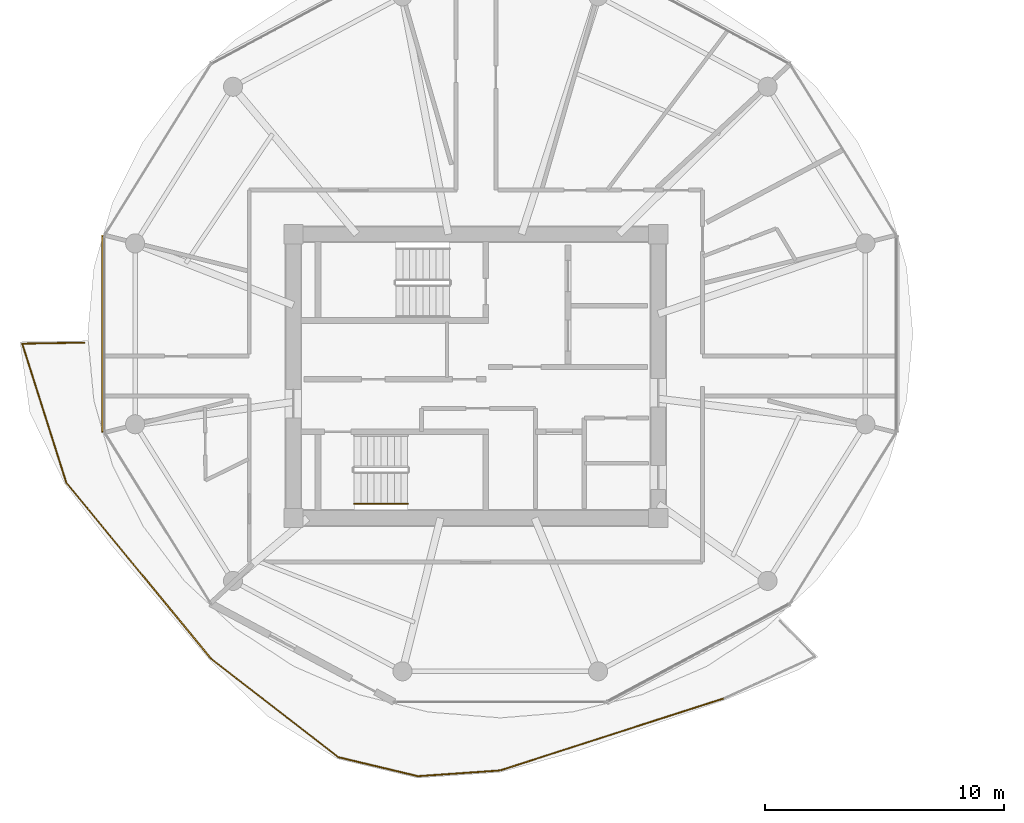
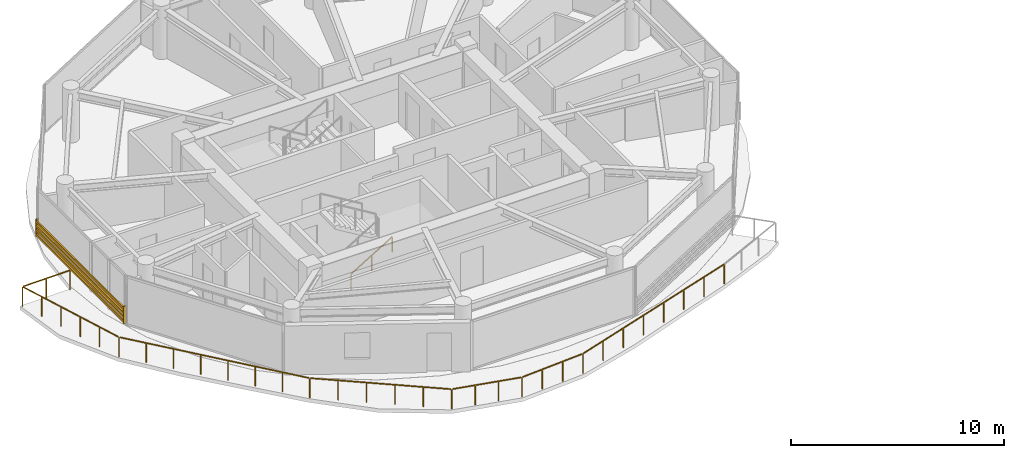
# One storey, part 19 of 22: 2 railings, 1 shading device.
"""IFC4 building model written with IfcOpenShell, lengths in metres."""

import ifcopenshell
import ifcopenshell.guid

model = None  # the IFC model being written
_history = None  # IfcOwnerHistory: only IFC2X3 demands one
_inside = {}  # id of a spatial element -> (the spatial element, [elements in it])
_under = {}  # id of a project, library or spatial element -> (it, [spatial elements below it])
_declared = {}  # id of a project -> (the project, [libraries it declares])
_typed = {}  # id of a type object -> (the type object, [elements of that type])
_made_of = {}  # id of a material, layer set ... -> (it, [elements and type objects made of it])


def new_model(schema):
    """Start an empty IFC model of exactly this schema.

    Asked for "IFC4X3", IfcOpenShell would pick the latest addendum, in which some entities
    have other attributes; the version numbers below select the first issue.
    IFC2X3 requires an IfcOwnerHistory on every rooted entity: one is made here for all.
    """
    global model, _history
    if schema == "IFC4X3":
        model = ifcopenshell.file(schema_version=(4, 3, 0, 0))
    else:
        model = ifcopenshell.file(schema=schema)
    _inside.clear()
    _under.clear()
    _declared.clear()
    _typed.clear()
    _made_of.clear()
    _history = None
    if model.schema == "IFC2X3":
        org = make("IfcOrganization", Name="unknown")
        user = make(
            "IfcPersonAndOrganization",
            ThePerson=make("IfcPerson", FamilyName="unknown"),
            TheOrganization=org,
        )
        app = make(
            "IfcApplication",
            ApplicationDeveloper=org,
            Version="unknown",
            ApplicationFullName="unknown",
            ApplicationIdentifier="unknown",
        )
        _history = make(
            "IfcOwnerHistory",
            OwningUser=user,
            OwningApplication=app,
            ChangeAction="ADDED",
            CreationDate=0,
        )
    return model


def make(cls, **values):
    """One entity of the class cls with the attributes given. An attribute that is None is left unset."""
    return model.create_entity(
        cls, **{name: value for name, value in values.items() if value is not None}
    )


def rooted(cls, **values):
    """An entity with a GlobalId (a new one), such as an element, a storey or a relation."""
    return make(cls, GlobalId=ifcopenshell.guid.new(), OwnerHistory=_history, **values)


def si_unit(unit_type, name, prefix=None):
    """IfcSIUnit, for example si_unit("LENGTHUNIT", "METRE", prefix="MILLI")."""
    return make("IfcSIUnit", UnitType=unit_type, Prefix=prefix, Name=name)


def assignment(units):
    """IfcUnitAssignment: the units of a project."""
    return None if units is None else make("IfcUnitAssignment", Units=units)


def point(xyz):
    """IfcCartesianPoint."""
    return None if xyz is None else make("IfcCartesianPoint", Coordinates=xyz)


def direction(xyz):
    """IfcDirection."""
    return None if xyz is None else make("IfcDirection", DirectionRatios=xyz)


def frame(location, z_axis=None, x_axis=None):
    """IfcAxis2Placement3D, a coordinate frame: its origin and axes. An axis left out is left unset."""
    return make(
        "IfcAxis2Placement3D",
        Location=point(location),
        Axis=direction(z_axis),
        RefDirection=direction(x_axis),
    )


def frame_2d(location, x_axis=None):
    """IfcAxis2Placement2D, a coordinate frame in the plane: its origin and x axis."""
    return make(
        "IfcAxis2Placement2D", Location=point(location), RefDirection=direction(x_axis)
    )


def origin():
    """The frame at (0, 0, 0) with its axes left unset."""
    return frame((0.0, 0.0, 0.0))


def origin_2d():
    """The frame at (0, 0) in the plane with its x axis left unset."""
    return frame_2d((0.0, 0.0))


def place(relative_to, where):
    """IfcLocalPlacement: puts the frame where relative to a parent placement (None: the world)."""
    return make(
        "IfcLocalPlacement", PlacementRelTo=relative_to, RelativePlacement=where
    )


def context(
    kind, dimensions, precision=None, world=None, true_north=None, identifier=None
):
    """IfcGeometricRepresentationContext, for example the 3D "Model" context."""
    return make(
        "IfcGeometricRepresentationContext",
        ContextIdentifier=identifier,
        ContextType=kind,
        CoordinateSpaceDimension=dimensions,
        Precision=precision,
        WorldCoordinateSystem=world,
        TrueNorth=true_north,
    )


def subcontext(parent, identifier, kind, view, scale=None):
    """IfcGeometricRepresentationSubContext, for example "Body" below "Model"."""
    return make(
        "IfcGeometricRepresentationSubContext",
        ContextIdentifier=identifier,
        ContextType=kind,
        ParentContext=parent,
        TargetScale=scale,
        TargetView=view,
    )


def project(units=None, contexts=None):
    """IfcProject with its units and contexts."""
    return rooted(
        "IfcProject",
        Name="project",
        RepresentationContexts=contexts,
        UnitsInContext=assignment(units),
    )


def spatial(cls, under=None, at=None, **own):
    """A site, building, storey or space (cls), placed at a placement, below another one or the project."""
    s = rooted(cls, ObjectPlacement=at, **own)
    if under is not None:
        _under.setdefault(under.id(), (under, []))[1].append(s)
    return s


def profile(cls, at=None, kind="AREA", **sizes):
    """A parametric profile (cls). Its sizes go by their IFC names, for example OverallWidth=200.0."""
    return make(cls, ProfileType=kind, Position=at, **sizes)


def rectangle(**sizes):
    """IfcRectangleProfileDef."""
    return profile("IfcRectangleProfileDef", **sizes)


def extrude(swept, where, along, depth):
    """IfcExtrudedAreaSolid: the profile swept, set in the frame where, extruded along a direction by depth."""
    return make(
        "IfcExtrudedAreaSolid",
        SweptArea=swept,
        Position=where,
        ExtrudedDirection=direction(along),
        Depth=depth,
    )


def shape(context_of_items, identifier, shape_type, items):
    """IfcShapeRepresentation: the items that make up one representation, for example the "Body"."""
    return make(
        "IfcShapeRepresentation",
        ContextOfItems=context_of_items,
        RepresentationIdentifier=identifier,
        RepresentationType=shape_type,
        Items=items,
    )


def source(mapping_origin, context_of_items, identifier, shape_type, items):
    """IfcRepresentationMap: a shape defined once, which mapped items show again and again."""
    return make(
        "IfcRepresentationMap",
        MappingOrigin=mapping_origin,
        MappedRepresentation=shape(context_of_items, identifier, shape_type, items),
    )


def transform(
    local_origin,
    x_axis=None,
    y_axis=None,
    z_axis=None,
    scale=None,
    scale2=None,
    scale3=None,
    uniform=True,
):
    """IfcCartesianTransformationOperator3D, or its non-uniform kind. x_axis, y_axis, z_axis: its Axis1, 2, 3."""
    if uniform:
        return make(
            "IfcCartesianTransformationOperator3D",
            Axis1=direction(x_axis),
            Axis2=direction(y_axis),
            LocalOrigin=point(local_origin),
            Scale=scale,
            Axis3=direction(z_axis),
        )
    return make(
        "IfcCartesianTransformationOperator3DnonUniform",
        Axis1=direction(x_axis),
        Axis2=direction(y_axis),
        LocalOrigin=point(local_origin),
        Scale=scale,
        Axis3=direction(z_axis),
        Scale2=scale2,
        Scale3=scale3,
    )


def mapped(mapping_source, mapping_target):
    """IfcMappedItem: shows the shape of a source again, moved by a transform."""
    return make(
        "IfcMappedItem", MappingSource=mapping_source, MappingTarget=mapping_target
    )


def material(Name=None, Category=None):
    """IfcMaterial."""
    return make("IfcMaterial", Name=Name, Category=Category)


def made_of(thing, what):
    """Note that an element or type object is made of a material, layer set ...; save() writes the relation."""
    if what is not None:
        _made_of.setdefault(what.id(), (what, []))[1].append(thing)
    return thing


def type_object(cls, material=None, **own):
    """A type object (cls), such as IfcWallType, which elements share."""
    return made_of(rooted(cls, **own), material)


def type_shapes(of_type, sources):
    """Give a type object the sources (RepresentationMaps) that its elements show as mapped items."""
    of_type.RepresentationMaps = sources


def element(
    cls,
    number,
    at=None,
    inside=None,
    cuts=None,
    type_object=None,
    material=None,
    context=None,
    identifier="Body",
    shape_type=None,
    held_by="IfcProductDefinitionShape",
    body=None,
    shapes=None,
    **own,
):
    """One element of the class cls, such as IfcWall. Its Tag is "e" and its number.

    at: its placement. inside: the storey or other place that contains it. cuts: it is an
    opening in that element (IfcRelVoidsElement). A single representation is given by context,
    identifier, shape_type and body (its items); several are given by shapes. held_by: the class
    of the entity that holds the representations. save() writes the other relations.
    """
    e = rooted(cls, Tag="e%d" % number, ObjectPlacement=at, **own)
    if body is not None:
        shapes = [shape(context, identifier, shape_type, body)]
    if shapes is not None:
        e.Representation = make(held_by, Representations=shapes)
    if inside is not None:
        _inside.setdefault(inside.id(), (inside, []))[1].append(e)
    if cuts is not None:
        rooted(
            "IfcRelVoidsElement", RelatingBuildingElement=cuts, RelatedOpeningElement=e
        )
    if type_object is not None:
        _typed.setdefault(type_object.id(), (type_object, []))[1].append(e)
    return made_of(e, material)


def aggregate(whole, parts):
    """IfcRelAggregates: a whole, such as a stair, and the parts it consists of."""
    return rooted("IfcRelAggregates", RelatingObject=whole, RelatedObjects=parts)


def save(model, path):
    """Write the relations noted so far, then the file.

    IfcRelAggregates (storeys below a building ...), IfcRelContainedInSpatialStructure (elements
    in a storey), IfcRelDefinesByType, IfcRelAssociatesMaterial and IfcRelDeclares: one each for
    every whole, place, type object, material and project.
    """
    for whole, parts in _under.values():
        aggregate(whole, parts)
    for where, things in _inside.values():
        rooted(
            "IfcRelContainedInSpatialStructure",
            RelatedElements=things,
            RelatingStructure=where,
        )
    for kind, things in _typed.values():
        rooted("IfcRelDefinesByType", RelatedObjects=things, RelatingType=kind)
    for what, things in _made_of.values():
        rooted("IfcRelAssociatesMaterial", RelatedObjects=things, RelatingMaterial=what)
    for by, libraries in _declared.values():
        rooted("IfcRelDeclares", RelatingContext=by, RelatedDefinitions=libraries)
    model.write(path)


model = new_model("IFC4")

# Units and contexts
model_context = context("Model", 3, precision=1e-05, world=origin(), true_north=direction((0.0, 1.0)))
body_context = subcontext(model_context, "Body", "Model", "MODEL_VIEW")
ifc_project = project(units=[si_unit("LENGTHUNIT", "METRE"), si_unit("AREAUNIT", "SQUARE_METRE"), si_unit("VOLUMEUNIT", "CUBIC_METRE"), si_unit("PLANEANGLEUNIT", "RADIAN"), si_unit("MASSUNIT", "GRAM", prefix="KILO")], contexts=[model_context])

# Site, building, storey
site_placement = place(None, origin())
site = spatial("IfcSite", under=ifc_project, at=site_placement, CompositionType="ELEMENT")
building_placement = place(site_placement, origin())
building = spatial("IfcBuilding", under=site, at=building_placement, Name="Norrkilde Senior Care Towers", CompositionType="ELEMENT")
storey_placement = place(building_placement, frame((0.0, 0.0, 170.89990234375)))
storey = spatial("IfcBuildingStorey", under=building, at=storey_placement, Name="L53", CompositionType="ELEMENT", Elevation=170.89990234375)

# Railings
ifc_material_1 = material(Name="Anodised Aluminium", Category="aluminium")
railing_type_1 = type_object("IfcRailingType", Name="Balcony Swirl Ribbon Guardrail 1150", PredefinedType="GUARDRAIL", material=ifc_material_1)
railing_1_placement = place(storey_placement, frame((-17.5927734375, -13.5078125, 0.0)))
element("IfcRailing", 1, at=railing_1_placement, inside=storey, type_object=railing_type_1, Name="L53 Perimeter Safety Guard 03", PredefinedType="GUARDRAIL", context=body_context, shape_type="SweptSolid", body=[
    extrude(rectangle(XDim=0.048095703125, YDim=0.048095703125, at=origin_2d()), frame((0.0, 0.0, 1.1259765625), z_axis=(-0.951921700107, -0.306341438374, 0.0), x_axis=(0.306341438374, -0.951921700107, 0.0)), (0.0, 0.0, 1.0), 9.829345703125),
    extrude(rectangle(XDim=0.048095703125, YDim=0.048095703125, at=origin_2d()), frame((-9.4365234375, -3.026611328125, 1.1259765625), z_axis=(-0.997573499571, -0.069621210513, 0.0), x_axis=(0.069621210513, -0.997573499571, 0.0)), (0.0, 0.0, 1.0), 3.365234375),
    extrude(rectangle(XDim=0.048095703125, YDim=0.048095703125, at=origin_2d()), frame((-12.874267578125, -3.254150390625, 1.1259765625), z_axis=(-0.972631562122, 0.232352844538, 0.0), x_axis=(-0.232352844538, -0.972631562122, 0.0)), (0.0, 0.0, 1.0), 3.3583984375),
    extrude(rectangle(XDim=0.048095703125, YDim=0.048095703125, at=origin_2d()), frame((-16.212646484375, -2.439208984375, 1.1259765625), z_axis=(-0.790716339992, 0.612182709384, 0.0), x_axis=(-0.612182709384, -0.790716339992, 0.0)), (0.0, 0.0, 1.0), 6.644775390625),
    extrude(rectangle(XDim=0.048095703125, YDim=0.048095703125, at=origin_2d()), frame((-21.525146484375, 1.68505859375, 1.1259765625), z_axis=(-0.635487925039, 0.772110806251, 0.0), x_axis=(-0.772110806251, -0.635487925039, 0.0)), (0.0, 0.0, 1.0), 9.478515625),
    extrude(rectangle(XDim=0.048095703125, YDim=0.048095703125, at=origin_2d()), frame((-27.587158203125, 9.07421875, 1.1259765625), z_axis=(-0.302583156969, 0.953122989503, 0.0), x_axis=(-0.953122989503, -0.302583156969, 0.0)), (0.0, 0.0, 1.0), 6.04150390625),
    extrude(rectangle(XDim=0.048095703125, YDim=0.048095703125, at=origin_2d()), frame((-29.38671875, 14.8720703125, 1.1259765625), z_axis=(0.999863373984, 0.016529772104, 0.0), x_axis=(-0.016529772104, 0.999863373984, 0.0)), (0.0, 0.0, 1.0), 2.55859375),
    extrude(rectangle(XDim=0.0419921875, YDim=0.0419921875, at=origin_2d()), origin(), (0.0, 0.0, 1.0), 1.099853515625),
    extrude(rectangle(XDim=0.0419921875, YDim=0.0419921875, at=origin_2d()), frame((-1.34228515625, -0.431884765625, 0.0)), (0.0, 0.0, 1.0), 1.099853515625),
    extrude(rectangle(XDim=0.0419921875, YDim=0.0419921875, at=origin_2d()), frame((-2.6845703125, -0.864013671875, 0.0)), (0.0, 0.0, 1.0), 1.099853515625),
    extrude(rectangle(XDim=0.0419921875, YDim=0.0419921875, at=origin_2d()), frame((-4.02685546875, -1.2958984375, 0.0)), (0.0, 0.0, 1.0), 1.099853515625),
    extrude(rectangle(XDim=0.0419921875, YDim=0.0419921875, at=origin_2d()), frame((-5.368896484375, -1.727783203125, 0.0)), (0.0, 0.0, 1.0), 1.099853515625),
    extrude(rectangle(XDim=0.0419921875, YDim=0.0419921875, at=origin_2d()), frame((-6.711181640625, -2.15966796875, 0.0)), (0.0, 0.0, 1.0), 1.099853515625),
    extrude(rectangle(XDim=0.0419921875, YDim=0.0419921875, at=origin_2d()), frame((-8.053466796875, -2.591796875, 0.0)), (0.0, 0.0, 1.0), 1.099853515625),
    extrude(rectangle(XDim=0.0419921875, YDim=0.0419921875, at=origin_2d()), frame((-9.395751953125, -3.023681640625, 0.0)), (0.0, 0.0, 1.0), 1.099853515625),
    extrude(rectangle(XDim=0.0419921875, YDim=0.0419921875, at=origin_2d()), frame((-10.5419921875, -3.103759765625, 0.0)), (0.0, 0.0, 1.0), 1.099853515625),
    extrude(rectangle(XDim=0.0419921875, YDim=0.0419921875, at=origin_2d()), frame((-11.688232421875, -3.18359375, 0.0)), (0.0, 0.0, 1.0), 1.099853515625),
    extrude(rectangle(XDim=0.0419921875, YDim=0.0419921875, at=origin_2d()), frame((-12.83447265625, -3.263671875, 0.0)), (0.0, 0.0, 1.0), 1.099853515625),
    extrude(rectangle(XDim=0.0419921875, YDim=0.0419921875, at=origin_2d()), frame((-13.94970703125, -2.997314453125, 0.0)), (0.0, 0.0, 1.0), 1.099853515625),
    extrude(rectangle(XDim=0.0419921875, YDim=0.0419921875, at=origin_2d()), frame((-15.065185546875, -2.730712890625, 0.0)), (0.0, 0.0, 1.0), 1.099853515625),
    extrude(rectangle(XDim=0.0419921875, YDim=0.0419921875, at=origin_2d()), frame((-16.180419921875, -2.46435546875, 0.0)), (0.0, 0.0, 1.0), 1.099853515625),
    extrude(rectangle(XDim=0.0419921875, YDim=0.0419921875, at=origin_2d()), frame((-17.244140625, -1.640869140625, 0.0)), (0.0, 0.0, 1.0), 1.099853515625),
    extrude(rectangle(XDim=0.0419921875, YDim=0.0419921875, at=origin_2d()), frame((-18.307861328125, -0.817138671875, 0.0)), (0.0, 0.0, 1.0), 1.099853515625),
    extrude(rectangle(XDim=0.0419921875, YDim=0.0419921875, at=origin_2d()), frame((-19.371826171875, 0.00634765625, 0.0)), (0.0, 0.0, 1.0), 1.099853515625),
    extrude(rectangle(XDim=0.0419921875, YDim=0.0419921875, at=origin_2d()), frame((-20.435546875, 0.830078125, 0.0)), (0.0, 0.0, 1.0), 1.099853515625),
    extrude(rectangle(XDim=0.0419921875, YDim=0.0419921875, at=origin_2d()), frame((-21.499267578125, 1.653564453125, 0.0)), (0.0, 0.0, 1.0), 1.099853515625),
    extrude(rectangle(XDim=0.0419921875, YDim=0.0419921875, at=origin_2d()), frame((-22.3671875, 2.7080078125, 0.0)), (0.0, 0.0, 1.0), 1.099853515625),
    extrude(rectangle(XDim=0.0419921875, YDim=0.0419921875, at=origin_2d()), frame((-23.235107421875, 3.7626953125, 0.0)), (0.0, 0.0, 1.0), 1.099853515625),
    extrude(rectangle(XDim=0.0419921875, YDim=0.0419921875, at=origin_2d()), frame((-24.10302734375, 4.817138671875, 0.0)), (0.0, 0.0, 1.0), 1.099853515625),
    extrude(rectangle(XDim=0.0419921875, YDim=0.0419921875, at=origin_2d()), frame((-24.970947265625, 5.87158203125, 0.0)), (0.0, 0.0, 1.0), 1.099853515625),
    extrude(rectangle(XDim=0.0419921875, YDim=0.0419921875, at=origin_2d()), frame((-25.8388671875, 6.926025390625, 0.0)), (0.0, 0.0, 1.0), 1.099853515625),
    extrude(rectangle(XDim=0.0419921875, YDim=0.0419921875, at=origin_2d()), frame((-26.706787109375, 7.980712890625, 0.0)), (0.0, 0.0, 1.0), 1.099853515625),
    extrude(rectangle(XDim=0.0419921875, YDim=0.0419921875, at=origin_2d()), frame((-27.57470703125, 9.03515625, 0.0)), (0.0, 0.0, 1.0), 1.099853515625),
    extrude(rectangle(XDim=0.0419921875, YDim=0.0419921875, at=origin_2d()), frame((-27.9453125, 10.202392578125, 0.0)), (0.0, 0.0, 1.0), 1.099853515625),
    extrude(rectangle(XDim=0.0419921875, YDim=0.0419921875, at=origin_2d()), frame((-28.31591796875, 11.36962890625, 0.0)), (0.0, 0.0, 1.0), 1.099853515625),
    extrude(rectangle(XDim=0.0419921875, YDim=0.0419921875, at=origin_2d()), frame((-28.686279296875, 12.536865234375, 0.0)), (0.0, 0.0, 1.0), 1.099853515625),
    extrude(rectangle(XDim=0.0419921875, YDim=0.0419921875, at=origin_2d()), frame((-29.056884765625, 13.7041015625, 0.0)), (0.0, 0.0, 1.0), 1.099853515625),
    extrude(rectangle(XDim=0.0419921875, YDim=0.0419921875, at=origin_2d()), frame((-29.427490234375, 14.871337890625, 0.0)), (0.0, 0.0, 1.0), 1.099853515625),
    extrude(rectangle(XDim=0.0419921875, YDim=0.0419921875, at=origin_2d()), frame((-28.1279296875, 14.892822265625, 0.0)), (0.0, 0.0, 1.0), 1.099853515625),
    extrude(rectangle(XDim=0.0419921875, YDim=0.0419921875, at=origin_2d()), frame((-26.828369140625, 14.914306640625, 0.0)), (0.0, 0.0, 1.0), 1.099853515625),
])
ifc_material_2 = material(Name="Nordic Ash Timber", Category="wood")
railing_type_2 = type_object("IfcRailingType", Name="Wall and Stair Handrail 900", PredefinedType="HANDRAIL", material=ifc_material_2)
railing_2_placement = place(storey_placement, frame((-33.10009765625, -5.35009765625, 0.16943359375)))
element("IfcRailing", 2, at=railing_2_placement, inside=storey, type_object=railing_type_2, Name="L53 ST-W2 stair handrail 1", PredefinedType="HANDRAIL", context=body_context, shape_type="SweptSolid", body=[
    extrude(rectangle(XDim=0.048095703125, YDim=0.048095703125, at=origin_2d()), frame((0.0, 0.0, 0.8759765625), z_axis=(0.855512035549, 0.0, 0.517782924622), x_axis=(0.0, 1.0, 0.0)), (0.0, 0.0, 1.0), 2.618408203125),
    extrude(rectangle(XDim=0.0419921875, YDim=0.0419921875, at=origin_2d()), origin(), (0.0, 0.0, 1.0), 0.849853515625),
    extrude(rectangle(XDim=0.0419921875, YDim=0.0419921875, at=origin_2d()), frame((1.1201171875, 0.0, 0.677734375)), (0.0, 0.0, 1.0), 0.849853515625),
    extrude(rectangle(XDim=0.0419921875, YDim=0.0419921875, at=origin_2d()), frame((2.239990234375, 0.0, 1.355712890625)), (0.0, 0.0, 1.0), 0.849853515625),
])

# Shading device
ifc_material_3 = material(Name="Architectural Terracotta", Category="masonry")
shading_device_type = type_object("IfcShadingDeviceType", Name="Horizontal Terracotta Baguette Rack", PredefinedType="USERDEFINED", material=ifc_material_3)
shared_shape = source(origin(), body_context, "Body", "SweptSolid", [
    extrude(rectangle(XDim=0.070068359375, YDim=0.110107421875, at=origin_2d()), frame((0.0, 0.090087890625, 0.125), z_axis=(1.0, 0.0, 0.0), x_axis=(0.0, 1.0, 0.0)), (0.0, 0.0, 1.0), 8.27197265625),
    extrude(rectangle(XDim=0.070068359375, YDim=0.110107421875, at=origin_2d()), frame((0.0, 0.090087890625, 0.375), z_axis=(1.0, 0.0, 0.0), x_axis=(0.0, 1.0, 0.0)), (0.0, 0.0, 1.0), 8.27197265625),
    extrude(rectangle(XDim=0.070068359375, YDim=0.110107421875, at=origin_2d()), frame((0.0, 0.090087890625, 0.625), z_axis=(1.0, 0.0, 0.0), x_axis=(0.0, 1.0, 0.0)), (0.0, 0.0, 1.0), 8.27197265625),
    extrude(rectangle(XDim=0.070068359375, YDim=0.110107421875, at=origin_2d()), frame((0.0, 0.090087890625, 0.875), z_axis=(1.0, 0.0, 0.0), x_axis=(0.0, 1.0, 0.0)), (0.0, 0.0, 1.0), 8.27197265625),
    extrude(rectangle(XDim=0.050048828125, YDim=0.1552734375, at=origin_2d()), frame((0.02490234375, 0.047607421875, 0.0)), (0.0, 0.0, 1.0), 1.0),
    extrude(rectangle(XDim=0.050048828125, YDim=0.1552734375, at=origin_2d()), frame((8.2470703125, 0.047607421875, 0.0)), (0.0, 0.0, 1.0), 1.0),
])
type_shapes(shading_device_type, [shared_shape])
shading_device_placement = place(storey_placement, frame((-43.569580078125, -2.360595703125, 0.080078125), z_axis=(0.0, 0.0, 1.0), x_axis=(0.0, 1.0, 0.0)))
element("IfcShadingDevice", 3, at=shading_device_placement, inside=storey, type_object=shading_device_type, Name="L53 Drum W Terracotta Baguette Screen 05", ObjectType="BAGUETTE", PredefinedType="USERDEFINED", context=body_context, shape_type="MappedRepresentation", body=[
    mapped(shared_shape, transform((0.0, 0.0, 0.0), x_axis=(1.0, 0.0, 0.0), y_axis=(0.0, 1.0, 0.0), z_axis=(0.0, 0.0, 1.0), scale=1.0)),
])

save(model, "model.ifc")
